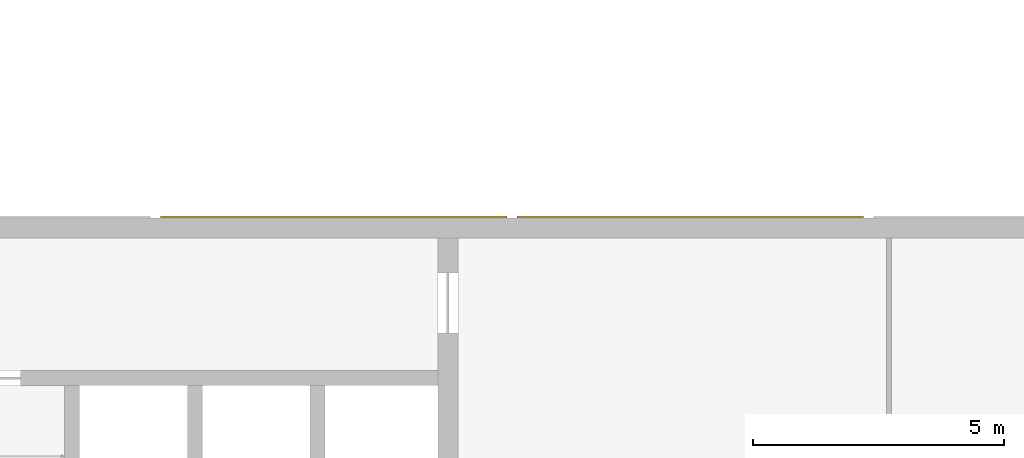
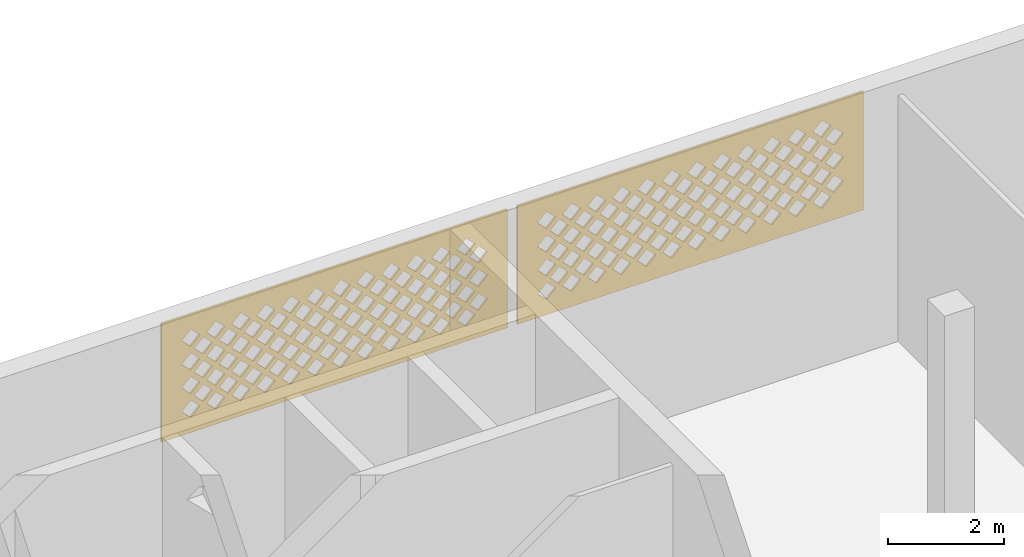
# One storey, part 44 of 69: 2 coverings.
"""IFC4 building model written with IfcOpenShell, lengths in metres."""

from ifc_helpers import new_model, si_unit, direction, frame, origin, place, context, subcontext, project, spatial, polyline, outline, extrude, material, layer, layer_set, type_object, element, save


model = new_model("IFC4")

# Units and contexts
model_context = context("Model", 3, precision=1e-05, world=origin(), true_north=direction((0.0, 1.0)))
body_context = subcontext(model_context, "Body", "Model", "MODEL_VIEW")
ifc_project = project(units=[si_unit("LENGTHUNIT", "METRE"), si_unit("AREAUNIT", "SQUARE_METRE"), si_unit("VOLUMEUNIT", "CUBIC_METRE"), si_unit("PLANEANGLEUNIT", "RADIAN"), si_unit("MASSUNIT", "GRAM", prefix="KILO")], contexts=[model_context])

# Site, building, storey
site_placement = place(None, origin())
site = spatial("IfcSite", under=ifc_project, at=site_placement, CompositionType="ELEMENT")
building_placement = place(site_placement, origin())
building = spatial("IfcBuilding", under=site, at=building_placement, Name="Noorbagh Ring Tower", CompositionType="ELEMENT")
storey_placement = place(building_placement, frame((0.0, 0.0, 19.5)))
storey = spatial("IfcBuildingStorey", under=building, at=storey_placement, Name="L03", CompositionType="ELEMENT", Elevation=19.5)

# Coverings
ifc_material = material(Name="Red sandstone jali", Category="masonry")
ifc_layer = layer(ifc_material, 0.0400390625)
ifc_layer_set = layer_set([ifc_layer], Name="Red sandstone jali")
covering_type = type_object("IfcCoveringType", Name="STH-BAND", PredefinedType="USERDEFINED", material=ifc_layer_set)
covering_1_placement = place(storey_placement, frame((-102.711181640625, 31.0400390625, 2.699951171875), z_axis=(0.0, 1.0, 0.0), x_axis=(-1.0, 0.0, 0.0)))
element("IfcCovering", 1, at=covering_1_placement, inside=storey, type_object=covering_type, Name="Jali band", ObjectType="JALI SCREEN", PredefinedType="USERDEFINED", context=body_context, shape_type="SweptSolid", body=[
    extrude(outline(polyline([(0.0, 0.0), (6.9111328125, 0.0), (6.9111328125, 2.5), (0.0, 2.5), (0.0, 0.0)]), holes=[polyline([(0.650634765625, 0.5), (0.83056640625, 0.320068359375), (1.010498046875, 0.5), (0.83056640625, 0.679931640625), (0.650634765625, 0.5)]), polyline([(1.150634765625, 0.5), (1.33056640625, 0.320068359375), (1.510498046875, 0.5), (1.33056640625, 0.679931640625), (1.150634765625, 0.5)]), polyline([(1.650634765625, 0.5), (1.83056640625, 0.320068359375), (2.010498046875, 0.5), (1.83056640625, 0.679931640625), (1.650634765625, 0.5)]), polyline([(2.150634765625, 0.5), (2.33056640625, 0.320068359375), (2.510498046875, 0.5), (2.33056640625, 0.679931640625), (2.150634765625, 0.5)]), polyline([(2.650634765625, 0.5), (2.83056640625, 0.320068359375), (3.010498046875, 0.5), (2.83056640625, 0.679931640625), (2.650634765625, 0.5)]), polyline([(3.150634765625, 0.5), (3.33056640625, 0.320068359375), (3.510498046875, 0.5), (3.33056640625, 0.679931640625), (3.150634765625, 0.5)]), polyline([(3.650634765625, 0.5), (3.83056640625, 0.320068359375), (4.010498046875, 0.5), (3.83056640625, 0.679931640625), (3.650634765625, 0.5)]), polyline([(4.150634765625, 0.5), (4.33056640625, 0.320068359375), (4.510498046875, 0.5), (4.33056640625, 0.679931640625), (4.150634765625, 0.5)]), polyline([(4.650634765625, 0.5), (4.83056640625, 0.320068359375), (5.010498046875, 0.5), (4.83056640625, 0.679931640625), (4.650634765625, 0.5)]), polyline([(5.150634765625, 0.5), (5.33056640625, 0.320068359375), (5.510498046875, 0.5), (5.33056640625, 0.679931640625), (5.150634765625, 0.5)]), polyline([(5.650634765625, 0.5), (5.83056640625, 0.320068359375), (6.010498046875, 0.5), (5.83056640625, 0.679931640625), (5.650634765625, 0.5)]), polyline([(6.150634765625, 0.5), (6.33056640625, 0.320068359375), (6.510498046875, 0.5), (6.33056640625, 0.679931640625), (6.150634765625, 0.5)]), polyline([(0.400634765625, 0.75), (0.58056640625, 0.570068359375), (0.760498046875, 0.75), (0.58056640625, 0.929931640625), (0.400634765625, 0.75)]), polyline([(0.900634765625, 0.75), (1.08056640625, 0.570068359375), (1.260498046875, 0.75), (1.08056640625, 0.929931640625), (0.900634765625, 0.75)]), polyline([(1.400634765625, 0.75), (1.58056640625, 0.570068359375), (1.760498046875, 0.75), (1.58056640625, 0.929931640625), (1.400634765625, 0.75)]), polyline([(1.900634765625, 0.75), (2.08056640625, 0.570068359375), (2.260498046875, 0.75), (2.08056640625, 0.929931640625), (1.900634765625, 0.75)]), polyline([(2.400634765625, 0.75), (2.58056640625, 0.570068359375), (2.760498046875, 0.75), (2.58056640625, 0.929931640625), (2.400634765625, 0.75)]), polyline([(2.900634765625, 0.75), (3.08056640625, 0.570068359375), (3.260498046875, 0.75), (3.08056640625, 0.929931640625), (2.900634765625, 0.75)]), polyline([(3.400634765625, 0.75), (3.58056640625, 0.570068359375), (3.760498046875, 0.75), (3.58056640625, 0.929931640625), (3.400634765625, 0.75)]), polyline([(3.900634765625, 0.75), (4.08056640625, 0.570068359375), (4.260498046875, 0.75), (4.08056640625, 0.929931640625), (3.900634765625, 0.75)]), polyline([(4.400634765625, 0.75), (4.58056640625, 0.570068359375), (4.760498046875, 0.75), (4.58056640625, 0.929931640625), (4.400634765625, 0.75)]), polyline([(4.900634765625, 0.75), (5.08056640625, 0.570068359375), (5.260498046875, 0.75), (5.08056640625, 0.929931640625), (4.900634765625, 0.75)]), polyline([(5.400634765625, 0.75), (5.58056640625, 0.570068359375), (5.760498046875, 0.75), (5.58056640625, 0.929931640625), (5.400634765625, 0.75)]), polyline([(5.900634765625, 0.75), (6.08056640625, 0.570068359375), (6.260498046875, 0.75), (6.08056640625, 0.929931640625), (5.900634765625, 0.75)]), polyline([(0.650634765625, 1.0), (0.83056640625, 0.820068359375), (1.010498046875, 1.0), (0.83056640625, 1.179931640625), (0.650634765625, 1.0)]), polyline([(1.150634765625, 1.0), (1.33056640625, 0.820068359375), (1.510498046875, 1.0), (1.33056640625, 1.179931640625), (1.150634765625, 1.0)]), polyline([(1.650634765625, 1.0), (1.83056640625, 0.820068359375), (2.010498046875, 1.0), (1.83056640625, 1.179931640625), (1.650634765625, 1.0)]), polyline([(2.150634765625, 1.0), (2.33056640625, 0.820068359375), (2.510498046875, 1.0), (2.33056640625, 1.179931640625), (2.150634765625, 1.0)]), polyline([(2.650634765625, 1.0), (2.83056640625, 0.820068359375), (3.010498046875, 1.0), (2.83056640625, 1.179931640625), (2.650634765625, 1.0)]), polyline([(3.150634765625, 1.0), (3.33056640625, 0.820068359375), (3.510498046875, 1.0), (3.33056640625, 1.179931640625), (3.150634765625, 1.0)]), polyline([(3.650634765625, 1.0), (3.83056640625, 0.820068359375), (4.010498046875, 1.0), (3.83056640625, 1.179931640625), (3.650634765625, 1.0)]), polyline([(4.150634765625, 1.0), (4.33056640625, 0.820068359375), (4.510498046875, 1.0), (4.33056640625, 1.179931640625), (4.150634765625, 1.0)]), polyline([(4.650634765625, 1.0), (4.83056640625, 0.820068359375), (5.010498046875, 1.0), (4.83056640625, 1.179931640625), (4.650634765625, 1.0)]), polyline([(5.150634765625, 1.0), (5.33056640625, 0.820068359375), (5.510498046875, 1.0), (5.33056640625, 1.179931640625), (5.150634765625, 1.0)]), polyline([(5.650634765625, 1.0), (5.83056640625, 0.820068359375), (6.010498046875, 1.0), (5.83056640625, 1.179931640625), (5.650634765625, 1.0)]), polyline([(6.150634765625, 1.0), (6.33056640625, 0.820068359375), (6.510498046875, 1.0), (6.33056640625, 1.179931640625), (6.150634765625, 1.0)]), polyline([(0.400634765625, 1.25), (0.58056640625, 1.070068359375), (0.760498046875, 1.25), (0.58056640625, 1.429931640625), (0.400634765625, 1.25)]), polyline([(0.900634765625, 1.25), (1.08056640625, 1.070068359375), (1.260498046875, 1.25), (1.08056640625, 1.429931640625), (0.900634765625, 1.25)]), polyline([(1.400634765625, 1.25), (1.58056640625, 1.070068359375), (1.760498046875, 1.25), (1.58056640625, 1.429931640625), (1.400634765625, 1.25)]), polyline([(1.900634765625, 1.25), (2.08056640625, 1.070068359375), (2.260498046875, 1.25), (2.08056640625, 1.429931640625), (1.900634765625, 1.25)]), polyline([(2.400634765625, 1.25), (2.58056640625, 1.070068359375), (2.760498046875, 1.25), (2.58056640625, 1.429931640625), (2.400634765625, 1.25)]), polyline([(2.900634765625, 1.25), (3.08056640625, 1.070068359375), (3.260498046875, 1.25), (3.08056640625, 1.429931640625), (2.900634765625, 1.25)]), polyline([(3.400634765625, 1.25), (3.58056640625, 1.070068359375), (3.760498046875, 1.25), (3.58056640625, 1.429931640625), (3.400634765625, 1.25)]), polyline([(3.900634765625, 1.25), (4.08056640625, 1.070068359375), (4.260498046875, 1.25), (4.08056640625, 1.429931640625), (3.900634765625, 1.25)]), polyline([(4.400634765625, 1.25), (4.58056640625, 1.070068359375), (4.760498046875, 1.25), (4.58056640625, 1.429931640625), (4.400634765625, 1.25)]), polyline([(4.900634765625, 1.25), (5.08056640625, 1.070068359375), (5.260498046875, 1.25), (5.08056640625, 1.429931640625), (4.900634765625, 1.25)]), polyline([(5.400634765625, 1.25), (5.58056640625, 1.070068359375), (5.760498046875, 1.25), (5.58056640625, 1.429931640625), (5.400634765625, 1.25)]), polyline([(5.900634765625, 1.25), (6.08056640625, 1.070068359375), (6.260498046875, 1.25), (6.08056640625, 1.429931640625), (5.900634765625, 1.25)]), polyline([(0.650634765625, 1.5), (0.83056640625, 1.320068359375), (1.010498046875, 1.5), (0.83056640625, 1.679931640625), (0.650634765625, 1.5)]), polyline([(1.150634765625, 1.5), (1.33056640625, 1.320068359375), (1.510498046875, 1.5), (1.33056640625, 1.679931640625), (1.150634765625, 1.5)]), polyline([(1.650634765625, 1.5), (1.83056640625, 1.320068359375), (2.010498046875, 1.5), (1.83056640625, 1.679931640625), (1.650634765625, 1.5)]), polyline([(2.150634765625, 1.5), (2.33056640625, 1.320068359375), (2.510498046875, 1.5), (2.33056640625, 1.679931640625), (2.150634765625, 1.5)]), polyline([(2.650634765625, 1.5), (2.83056640625, 1.320068359375), (3.010498046875, 1.5), (2.83056640625, 1.679931640625), (2.650634765625, 1.5)]), polyline([(3.150634765625, 1.5), (3.33056640625, 1.320068359375), (3.510498046875, 1.5), (3.33056640625, 1.679931640625), (3.150634765625, 1.5)]), polyline([(3.650634765625, 1.5), (3.83056640625, 1.320068359375), (4.010498046875, 1.5), (3.83056640625, 1.679931640625), (3.650634765625, 1.5)]), polyline([(4.150634765625, 1.5), (4.33056640625, 1.320068359375), (4.510498046875, 1.5), (4.33056640625, 1.679931640625), (4.150634765625, 1.5)]), polyline([(4.650634765625, 1.5), (4.83056640625, 1.320068359375), (5.010498046875, 1.5), (4.83056640625, 1.679931640625), (4.650634765625, 1.5)]), polyline([(5.150634765625, 1.5), (5.33056640625, 1.320068359375), (5.510498046875, 1.5), (5.33056640625, 1.679931640625), (5.150634765625, 1.5)]), polyline([(5.650634765625, 1.5), (5.83056640625, 1.320068359375), (6.010498046875, 1.5), (5.83056640625, 1.679931640625), (5.650634765625, 1.5)]), polyline([(6.150634765625, 1.5), (6.33056640625, 1.320068359375), (6.510498046875, 1.5), (6.33056640625, 1.679931640625), (6.150634765625, 1.5)]), polyline([(0.400634765625, 1.75), (0.58056640625, 1.570068359375), (0.760498046875, 1.75), (0.58056640625, 1.929931640625), (0.400634765625, 1.75)]), polyline([(0.900634765625, 1.75), (1.08056640625, 1.570068359375), (1.260498046875, 1.75), (1.08056640625, 1.929931640625), (0.900634765625, 1.75)]), polyline([(1.400634765625, 1.75), (1.58056640625, 1.570068359375), (1.760498046875, 1.75), (1.58056640625, 1.929931640625), (1.400634765625, 1.75)]), polyline([(1.900634765625, 1.75), (2.08056640625, 1.570068359375), (2.260498046875, 1.75), (2.08056640625, 1.929931640625), (1.900634765625, 1.75)]), polyline([(2.400634765625, 1.75), (2.58056640625, 1.570068359375), (2.760498046875, 1.75), (2.58056640625, 1.929931640625), (2.400634765625, 1.75)]), polyline([(2.900634765625, 1.75), (3.08056640625, 1.570068359375), (3.260498046875, 1.75), (3.08056640625, 1.929931640625), (2.900634765625, 1.75)]), polyline([(3.400634765625, 1.75), (3.58056640625, 1.570068359375), (3.760498046875, 1.75), (3.58056640625, 1.929931640625), (3.400634765625, 1.75)]), polyline([(3.900634765625, 1.75), (4.08056640625, 1.570068359375), (4.260498046875, 1.75), (4.08056640625, 1.929931640625), (3.900634765625, 1.75)]), polyline([(4.400634765625, 1.75), (4.58056640625, 1.570068359375), (4.760498046875, 1.75), (4.58056640625, 1.929931640625), (4.400634765625, 1.75)]), polyline([(4.900634765625, 1.75), (5.08056640625, 1.570068359375), (5.260498046875, 1.75), (5.08056640625, 1.929931640625), (4.900634765625, 1.75)]), polyline([(5.400634765625, 1.75), (5.58056640625, 1.570068359375), (5.760498046875, 1.75), (5.58056640625, 1.929931640625), (5.400634765625, 1.75)]), polyline([(5.900634765625, 1.75), (6.08056640625, 1.570068359375), (6.260498046875, 1.75), (6.08056640625, 1.929931640625), (5.900634765625, 1.75)]), polyline([(0.650634765625, 2.0), (0.83056640625, 1.820068359375), (1.010498046875, 2.0), (0.83056640625, 2.179931640625), (0.650634765625, 2.0)]), polyline([(1.150634765625, 2.0), (1.33056640625, 1.820068359375), (1.510498046875, 2.0), (1.33056640625, 2.179931640625), (1.150634765625, 2.0)]), polyline([(1.650634765625, 2.0), (1.83056640625, 1.820068359375), (2.010498046875, 2.0), (1.83056640625, 2.179931640625), (1.650634765625, 2.0)]), polyline([(2.150634765625, 2.0), (2.33056640625, 1.820068359375), (2.510498046875, 2.0), (2.33056640625, 2.179931640625), (2.150634765625, 2.0)]), polyline([(2.650634765625, 2.0), (2.83056640625, 1.820068359375), (3.010498046875, 2.0), (2.83056640625, 2.179931640625), (2.650634765625, 2.0)]), polyline([(3.150634765625, 2.0), (3.33056640625, 1.820068359375), (3.510498046875, 2.0), (3.33056640625, 2.179931640625), (3.150634765625, 2.0)]), polyline([(3.650634765625, 2.0), (3.83056640625, 1.820068359375), (4.010498046875, 2.0), (3.83056640625, 2.179931640625), (3.650634765625, 2.0)]), polyline([(4.150634765625, 2.0), (4.33056640625, 1.820068359375), (4.510498046875, 2.0), (4.33056640625, 2.179931640625), (4.150634765625, 2.0)]), polyline([(4.650634765625, 2.0), (4.83056640625, 1.820068359375), (5.010498046875, 2.0), (4.83056640625, 2.179931640625), (4.650634765625, 2.0)]), polyline([(5.150634765625, 2.0), (5.33056640625, 1.820068359375), (5.510498046875, 2.0), (5.33056640625, 2.179931640625), (5.150634765625, 2.0)]), polyline([(5.650634765625, 2.0), (5.83056640625, 1.820068359375), (6.010498046875, 2.0), (5.83056640625, 2.179931640625), (5.650634765625, 2.0)]), polyline([(6.150634765625, 2.0), (6.33056640625, 1.820068359375), (6.510498046875, 2.0), (6.33056640625, 2.179931640625), (6.150634765625, 2.0)])]), origin(), (0.0, 0.0, -1.0), 0.0400390625),
])
covering_2_placement = place(storey_placement, frame((-109.822265625, 31.0400390625, 2.699951171875), z_axis=(0.0, 1.0, 0.0), x_axis=(-1.0, 0.0, 0.0)))
element("IfcCovering", 2, at=covering_2_placement, inside=storey, type_object=covering_type, Name="Jali band", ObjectType="JALI SCREEN", PredefinedType="USERDEFINED", context=body_context, shape_type="SweptSolid", body=[
    extrude(outline(polyline([(0.0, 0.0), (6.9111328125, 0.0), (6.9111328125, 2.5), (0.0, 2.5), (0.0, 0.0)]), holes=[polyline([(0.650634765625, 0.5), (0.83056640625, 0.320068359375), (1.010498046875, 0.5), (0.83056640625, 0.679931640625), (0.650634765625, 0.5)]), polyline([(1.150634765625, 0.5), (1.33056640625, 0.320068359375), (1.510498046875, 0.5), (1.33056640625, 0.679931640625), (1.150634765625, 0.5)]), polyline([(1.650634765625, 0.5), (1.83056640625, 0.320068359375), (2.010498046875, 0.5), (1.83056640625, 0.679931640625), (1.650634765625, 0.5)]), polyline([(2.150634765625, 0.5), (2.33056640625, 0.320068359375), (2.510498046875, 0.5), (2.33056640625, 0.679931640625), (2.150634765625, 0.5)]), polyline([(2.650634765625, 0.5), (2.83056640625, 0.320068359375), (3.010498046875, 0.5), (2.83056640625, 0.679931640625), (2.650634765625, 0.5)]), polyline([(3.150634765625, 0.5), (3.33056640625, 0.320068359375), (3.510498046875, 0.5), (3.33056640625, 0.679931640625), (3.150634765625, 0.5)]), polyline([(3.650634765625, 0.5), (3.83056640625, 0.320068359375), (4.010498046875, 0.5), (3.83056640625, 0.679931640625), (3.650634765625, 0.5)]), polyline([(4.150634765625, 0.5), (4.33056640625, 0.320068359375), (4.510498046875, 0.5), (4.33056640625, 0.679931640625), (4.150634765625, 0.5)]), polyline([(4.650634765625, 0.5), (4.83056640625, 0.320068359375), (5.010498046875, 0.5), (4.83056640625, 0.679931640625), (4.650634765625, 0.5)]), polyline([(5.150634765625, 0.5), (5.33056640625, 0.320068359375), (5.510498046875, 0.5), (5.33056640625, 0.679931640625), (5.150634765625, 0.5)]), polyline([(5.650634765625, 0.5), (5.83056640625, 0.320068359375), (6.010498046875, 0.5), (5.83056640625, 0.679931640625), (5.650634765625, 0.5)]), polyline([(6.150634765625, 0.5), (6.33056640625, 0.320068359375), (6.510498046875, 0.5), (6.33056640625, 0.679931640625), (6.150634765625, 0.5)]), polyline([(0.400634765625, 0.75), (0.58056640625, 0.570068359375), (0.760498046875, 0.75), (0.58056640625, 0.929931640625), (0.400634765625, 0.75)]), polyline([(0.900634765625, 0.75), (1.08056640625, 0.570068359375), (1.260498046875, 0.75), (1.08056640625, 0.929931640625), (0.900634765625, 0.75)]), polyline([(1.400634765625, 0.75), (1.58056640625, 0.570068359375), (1.760498046875, 0.75), (1.58056640625, 0.929931640625), (1.400634765625, 0.75)]), polyline([(1.900634765625, 0.75), (2.08056640625, 0.570068359375), (2.260498046875, 0.75), (2.08056640625, 0.929931640625), (1.900634765625, 0.75)]), polyline([(2.400634765625, 0.75), (2.58056640625, 0.570068359375), (2.760498046875, 0.75), (2.58056640625, 0.929931640625), (2.400634765625, 0.75)]), polyline([(2.900634765625, 0.75), (3.08056640625, 0.570068359375), (3.260498046875, 0.75), (3.08056640625, 0.929931640625), (2.900634765625, 0.75)]), polyline([(3.400634765625, 0.75), (3.58056640625, 0.570068359375), (3.760498046875, 0.75), (3.58056640625, 0.929931640625), (3.400634765625, 0.75)]), polyline([(3.900634765625, 0.75), (4.08056640625, 0.570068359375), (4.260498046875, 0.75), (4.08056640625, 0.929931640625), (3.900634765625, 0.75)]), polyline([(4.400634765625, 0.75), (4.58056640625, 0.570068359375), (4.760498046875, 0.75), (4.58056640625, 0.929931640625), (4.400634765625, 0.75)]), polyline([(4.900634765625, 0.75), (5.08056640625, 0.570068359375), (5.260498046875, 0.75), (5.08056640625, 0.929931640625), (4.900634765625, 0.75)]), polyline([(5.400634765625, 0.75), (5.58056640625, 0.570068359375), (5.760498046875, 0.75), (5.58056640625, 0.929931640625), (5.400634765625, 0.75)]), polyline([(5.900634765625, 0.75), (6.08056640625, 0.570068359375), (6.260498046875, 0.75), (6.08056640625, 0.929931640625), (5.900634765625, 0.75)]), polyline([(0.650634765625, 1.0), (0.83056640625, 0.820068359375), (1.010498046875, 1.0), (0.83056640625, 1.179931640625), (0.650634765625, 1.0)]), polyline([(1.150634765625, 1.0), (1.33056640625, 0.820068359375), (1.510498046875, 1.0), (1.33056640625, 1.179931640625), (1.150634765625, 1.0)]), polyline([(1.650634765625, 1.0), (1.83056640625, 0.820068359375), (2.010498046875, 1.0), (1.83056640625, 1.179931640625), (1.650634765625, 1.0)]), polyline([(2.150634765625, 1.0), (2.33056640625, 0.820068359375), (2.510498046875, 1.0), (2.33056640625, 1.179931640625), (2.150634765625, 1.0)]), polyline([(2.650634765625, 1.0), (2.83056640625, 0.820068359375), (3.010498046875, 1.0), (2.83056640625, 1.179931640625), (2.650634765625, 1.0)]), polyline([(3.150634765625, 1.0), (3.33056640625, 0.820068359375), (3.510498046875, 1.0), (3.33056640625, 1.179931640625), (3.150634765625, 1.0)]), polyline([(3.650634765625, 1.0), (3.83056640625, 0.820068359375), (4.010498046875, 1.0), (3.83056640625, 1.179931640625), (3.650634765625, 1.0)]), polyline([(4.150634765625, 1.0), (4.33056640625, 0.820068359375), (4.510498046875, 1.0), (4.33056640625, 1.179931640625), (4.150634765625, 1.0)]), polyline([(4.650634765625, 1.0), (4.83056640625, 0.820068359375), (5.010498046875, 1.0), (4.83056640625, 1.179931640625), (4.650634765625, 1.0)]), polyline([(5.150634765625, 1.0), (5.33056640625, 0.820068359375), (5.510498046875, 1.0), (5.33056640625, 1.179931640625), (5.150634765625, 1.0)]), polyline([(5.650634765625, 1.0), (5.83056640625, 0.820068359375), (6.010498046875, 1.0), (5.83056640625, 1.179931640625), (5.650634765625, 1.0)]), polyline([(6.150634765625, 1.0), (6.33056640625, 0.820068359375), (6.510498046875, 1.0), (6.33056640625, 1.179931640625), (6.150634765625, 1.0)]), polyline([(0.400634765625, 1.25), (0.58056640625, 1.070068359375), (0.760498046875, 1.25), (0.58056640625, 1.429931640625), (0.400634765625, 1.25)]), polyline([(0.900634765625, 1.25), (1.08056640625, 1.070068359375), (1.260498046875, 1.25), (1.08056640625, 1.429931640625), (0.900634765625, 1.25)]), polyline([(1.400634765625, 1.25), (1.58056640625, 1.070068359375), (1.760498046875, 1.25), (1.58056640625, 1.429931640625), (1.400634765625, 1.25)]), polyline([(1.900634765625, 1.25), (2.08056640625, 1.070068359375), (2.260498046875, 1.25), (2.08056640625, 1.429931640625), (1.900634765625, 1.25)]), polyline([(2.400634765625, 1.25), (2.58056640625, 1.070068359375), (2.760498046875, 1.25), (2.58056640625, 1.429931640625), (2.400634765625, 1.25)]), polyline([(2.900634765625, 1.25), (3.08056640625, 1.070068359375), (3.260498046875, 1.25), (3.08056640625, 1.429931640625), (2.900634765625, 1.25)]), polyline([(3.400634765625, 1.25), (3.58056640625, 1.070068359375), (3.760498046875, 1.25), (3.58056640625, 1.429931640625), (3.400634765625, 1.25)]), polyline([(3.900634765625, 1.25), (4.08056640625, 1.070068359375), (4.260498046875, 1.25), (4.08056640625, 1.429931640625), (3.900634765625, 1.25)]), polyline([(4.400634765625, 1.25), (4.58056640625, 1.070068359375), (4.760498046875, 1.25), (4.58056640625, 1.429931640625), (4.400634765625, 1.25)]), polyline([(4.900634765625, 1.25), (5.08056640625, 1.070068359375), (5.260498046875, 1.25), (5.08056640625, 1.429931640625), (4.900634765625, 1.25)]), polyline([(5.400634765625, 1.25), (5.58056640625, 1.070068359375), (5.760498046875, 1.25), (5.58056640625, 1.429931640625), (5.400634765625, 1.25)]), polyline([(5.900634765625, 1.25), (6.08056640625, 1.070068359375), (6.260498046875, 1.25), (6.08056640625, 1.429931640625), (5.900634765625, 1.25)]), polyline([(0.650634765625, 1.5), (0.83056640625, 1.320068359375), (1.010498046875, 1.5), (0.83056640625, 1.679931640625), (0.650634765625, 1.5)]), polyline([(1.150634765625, 1.5), (1.33056640625, 1.320068359375), (1.510498046875, 1.5), (1.33056640625, 1.679931640625), (1.150634765625, 1.5)]), polyline([(1.650634765625, 1.5), (1.83056640625, 1.320068359375), (2.010498046875, 1.5), (1.83056640625, 1.679931640625), (1.650634765625, 1.5)]), polyline([(2.150634765625, 1.5), (2.33056640625, 1.320068359375), (2.510498046875, 1.5), (2.33056640625, 1.679931640625), (2.150634765625, 1.5)]), polyline([(2.650634765625, 1.5), (2.83056640625, 1.320068359375), (3.010498046875, 1.5), (2.83056640625, 1.679931640625), (2.650634765625, 1.5)]), polyline([(3.150634765625, 1.5), (3.33056640625, 1.320068359375), (3.510498046875, 1.5), (3.33056640625, 1.679931640625), (3.150634765625, 1.5)]), polyline([(3.650634765625, 1.5), (3.83056640625, 1.320068359375), (4.010498046875, 1.5), (3.83056640625, 1.679931640625), (3.650634765625, 1.5)]), polyline([(4.150634765625, 1.5), (4.33056640625, 1.320068359375), (4.510498046875, 1.5), (4.33056640625, 1.679931640625), (4.150634765625, 1.5)]), polyline([(4.650634765625, 1.5), (4.83056640625, 1.320068359375), (5.010498046875, 1.5), (4.83056640625, 1.679931640625), (4.650634765625, 1.5)]), polyline([(5.150634765625, 1.5), (5.33056640625, 1.320068359375), (5.510498046875, 1.5), (5.33056640625, 1.679931640625), (5.150634765625, 1.5)]), polyline([(5.650634765625, 1.5), (5.83056640625, 1.320068359375), (6.010498046875, 1.5), (5.83056640625, 1.679931640625), (5.650634765625, 1.5)]), polyline([(6.150634765625, 1.5), (6.33056640625, 1.320068359375), (6.510498046875, 1.5), (6.33056640625, 1.679931640625), (6.150634765625, 1.5)]), polyline([(0.400634765625, 1.75), (0.58056640625, 1.570068359375), (0.760498046875, 1.75), (0.58056640625, 1.929931640625), (0.400634765625, 1.75)]), polyline([(0.900634765625, 1.75), (1.08056640625, 1.570068359375), (1.260498046875, 1.75), (1.08056640625, 1.929931640625), (0.900634765625, 1.75)]), polyline([(1.400634765625, 1.75), (1.58056640625, 1.570068359375), (1.760498046875, 1.75), (1.58056640625, 1.929931640625), (1.400634765625, 1.75)]), polyline([(1.900634765625, 1.75), (2.08056640625, 1.570068359375), (2.260498046875, 1.75), (2.08056640625, 1.929931640625), (1.900634765625, 1.75)]), polyline([(2.400634765625, 1.75), (2.58056640625, 1.570068359375), (2.760498046875, 1.75), (2.58056640625, 1.929931640625), (2.400634765625, 1.75)]), polyline([(2.900634765625, 1.75), (3.08056640625, 1.570068359375), (3.260498046875, 1.75), (3.08056640625, 1.929931640625), (2.900634765625, 1.75)]), polyline([(3.400634765625, 1.75), (3.58056640625, 1.570068359375), (3.760498046875, 1.75), (3.58056640625, 1.929931640625), (3.400634765625, 1.75)]), polyline([(3.900634765625, 1.75), (4.08056640625, 1.570068359375), (4.260498046875, 1.75), (4.08056640625, 1.929931640625), (3.900634765625, 1.75)]), polyline([(4.400634765625, 1.75), (4.58056640625, 1.570068359375), (4.760498046875, 1.75), (4.58056640625, 1.929931640625), (4.400634765625, 1.75)]), polyline([(4.900634765625, 1.75), (5.08056640625, 1.570068359375), (5.260498046875, 1.75), (5.08056640625, 1.929931640625), (4.900634765625, 1.75)]), polyline([(5.400634765625, 1.75), (5.58056640625, 1.570068359375), (5.760498046875, 1.75), (5.58056640625, 1.929931640625), (5.400634765625, 1.75)]), polyline([(5.900634765625, 1.75), (6.08056640625, 1.570068359375), (6.260498046875, 1.75), (6.08056640625, 1.929931640625), (5.900634765625, 1.75)]), polyline([(0.650634765625, 2.0), (0.83056640625, 1.820068359375), (1.010498046875, 2.0), (0.83056640625, 2.179931640625), (0.650634765625, 2.0)]), polyline([(1.150634765625, 2.0), (1.33056640625, 1.820068359375), (1.510498046875, 2.0), (1.33056640625, 2.179931640625), (1.150634765625, 2.0)]), polyline([(1.650634765625, 2.0), (1.83056640625, 1.820068359375), (2.010498046875, 2.0), (1.83056640625, 2.179931640625), (1.650634765625, 2.0)]), polyline([(2.150634765625, 2.0), (2.33056640625, 1.820068359375), (2.510498046875, 2.0), (2.33056640625, 2.179931640625), (2.150634765625, 2.0)]), polyline([(2.650634765625, 2.0), (2.83056640625, 1.820068359375), (3.010498046875, 2.0), (2.83056640625, 2.179931640625), (2.650634765625, 2.0)]), polyline([(3.150634765625, 2.0), (3.33056640625, 1.820068359375), (3.510498046875, 2.0), (3.33056640625, 2.179931640625), (3.150634765625, 2.0)]), polyline([(3.650634765625, 2.0), (3.83056640625, 1.820068359375), (4.010498046875, 2.0), (3.83056640625, 2.179931640625), (3.650634765625, 2.0)]), polyline([(4.150634765625, 2.0), (4.33056640625, 1.820068359375), (4.510498046875, 2.0), (4.33056640625, 2.179931640625), (4.150634765625, 2.0)]), polyline([(4.650634765625, 2.0), (4.83056640625, 1.820068359375), (5.010498046875, 2.0), (4.83056640625, 2.179931640625), (4.650634765625, 2.0)]), polyline([(5.150634765625, 2.0), (5.33056640625, 1.820068359375), (5.510498046875, 2.0), (5.33056640625, 2.179931640625), (5.150634765625, 2.0)]), polyline([(5.650634765625, 2.0), (5.83056640625, 1.820068359375), (6.010498046875, 2.0), (5.83056640625, 2.179931640625), (5.650634765625, 2.0)]), polyline([(6.150634765625, 2.0), (6.33056640625, 1.820068359375), (6.510498046875, 2.0), (6.33056640625, 2.179931640625), (6.150634765625, 2.0)])]), origin(), (0.0, 0.0, -1.0), 0.0400390625),
])

save(model, "model.ifc")
